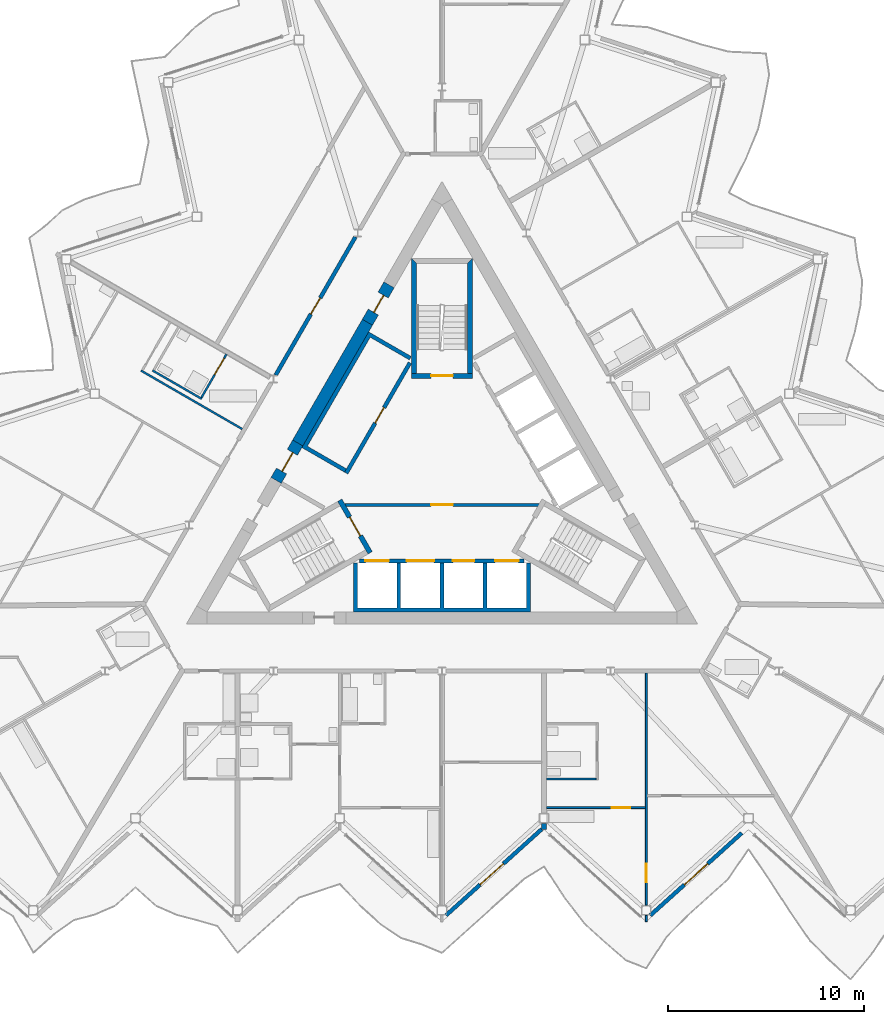
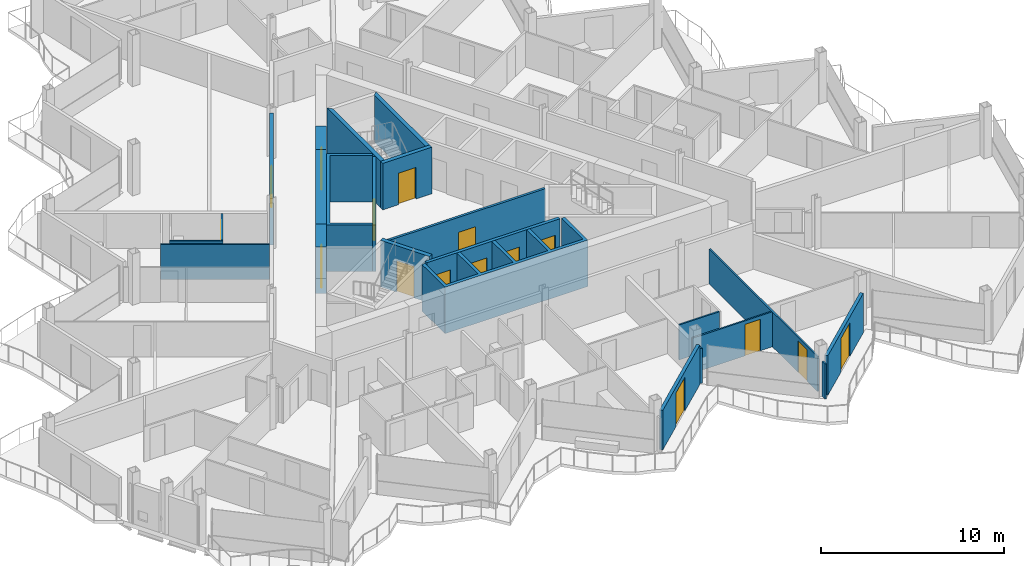
# One storey, part 14 of 26: 23 walls, 16 doors, 16 openings.
"""IFC4 building model written with IfcOpenShell, lengths in metres."""

from ifc_helpers import new_model, si_unit, direction, frame, frame_2d, origin, place, context, subcontext, project, spatial, polyline, rectangle, outline, extrude, material, layer, layer_set, type_object, element, fill, save


model = new_model("IFC4")

# Units and contexts
model_context = context("Model", 3, precision=1e-05, world=origin(), true_north=direction((0.0, 1.0)))
body_context = subcontext(model_context, "Body", "Model", "MODEL_VIEW")
ifc_project = project(units=[si_unit("LENGTHUNIT", "METRE"), si_unit("AREAUNIT", "SQUARE_METRE"), si_unit("VOLUMEUNIT", "CUBIC_METRE"), si_unit("PLANEANGLEUNIT", "RADIAN"), si_unit("MASSUNIT", "GRAM", prefix="KILO")], contexts=[model_context])

# Site, building, storey
site_placement = place(None, origin())
site = spatial("IfcSite", under=ifc_project, at=site_placement, CompositionType="ELEMENT")
building_placement = place(site_placement, origin())
building = spatial("IfcBuilding", under=site, at=building_placement, Name="Cormorant Prow Tower", CompositionType="ELEMENT")
storey_placement = place(building_placement, frame((0.0, 0.0, 374.60009765625)))
storey = spatial("IfcBuildingStorey", under=building, at=storey_placement, Name="L84", CompositionType="ELEMENT", Elevation=374.60009765625)

# Wall, opening, door
ifc_material_1 = material(Name="Gypsum board partition")
ifc_layer_1 = layer(ifc_material_1, 0.14990234375)
ifc_layer_set_1 = layer_set([ifc_layer_1], Name="Gypsum board partition")
wall_type_1 = type_object("IfcWallType", Name="Core partition 150", PredefinedType="PARTITIONING", material=ifc_layer_set_1)
wall_1_placement = place(storey_placement, frame((-4.941162109375, -1.449951171875, 0.0), z_axis=(0.0, 0.0, 1.0), x_axis=(1.0, 0.0, 0.0)))
wall_1 = element("IfcWall", 1, at=wall_1_placement, inside=storey, type_object=wall_type_1, Name="Firefighting lobby partition", PredefinedType="PARTITIONING", context=body_context, shape_type="SweptSolid", body=[
    extrude(rectangle(XDim=9.88232421875, YDim=0.14990234375, at=frame_2d((4.941162109375, 0.0))), origin(), (0.0, 0.0, 1.0), 3.099853515625),
])
opening_1_placement = place(wall_1_placement, frame((4.39111328125, 0.0, 0.0)))
opening_1 = element("IfcOpeningElement", 2, at=opening_1_placement, cuts=wall_1, Name="Opening L84-C10", PredefinedType="OPENING", context=body_context, shape_type="SweptSolid", body=[
    extrude(rectangle(XDim=1.10009765625, YDim=2.10009765625, at=frame_2d((0.550048828125, 1.050048828125))), frame((0.0, 0.0849609375, 0.0), z_axis=(0.0, -1.0, 0.0), x_axis=(1.0, 0.0, 0.0)), (0.0, 0.0, 1.0), 0.169921875),
])
ifc_material_2 = material(Name="Painted steel", Category="steel")
door_type_1 = type_object("IfcDoorType", Name="Firefighting lobby door 1100x2100", OperationType="NOTDEFINED", PredefinedType="DOOR", material=ifc_material_2)
door_1_placement = place(opening_1_placement, origin())
door_1 = element("IfcDoor", 3, at=door_1_placement, inside=storey, type_object=door_type_1, Name="Firefighting lobby door", OperationType="SINGLE_SWING_LEFT", OverallHeight=2.10009765625, OverallWidth=1.10009765625, PredefinedType="DOOR", context=body_context, shape_type="SweptSolid", body=[
    extrude(rectangle(XDim=1.10009765625, YDim=2.10009765625, at=frame_2d((0.550048828125, 1.050048828125))), frame((0.0, 0.02490234375, 0.0), z_axis=(0.0, -1.0, 0.0), x_axis=(1.0, 0.0, 0.0)), (0.0, 0.0, 1.0), 0.050048828125),
])
fill(opening_1, door_1)

# Wall
ifc_material_3 = material(Name="Concrete 8000 psi", Category="concrete")
ifc_layer_2 = layer(ifc_material_3, 0.60009765625)
ifc_layer_set_2 = layer_set([ifc_layer_2], Name="Concrete 8000 psi")
wall_type_2 = type_object("IfcWallType", Name="Core shear wall 600", PredefinedType="SHEAR", material=ifc_layer_set_2)
wall_2_placement = place(storey_placement, frame((-3.794189453125, 7.839599609375, 0.0), z_axis=(0.0, 0.0, 1.0), x_axis=(-0.499974747889, -0.866039982607, 0.0)))
element("IfcWall", 4, at=wall_2_placement, inside=storey, type_object=wall_type_2, Name="Core wall", PredefinedType="SHEAR", context=body_context, shape_type="SweptSolid", body=[
    extrude(rectangle(XDim=7.092041015625, YDim=0.60009765625, at=frame_2d((3.5458984375, 0.0))), origin(), (0.0, 0.0, 1.0), 3.099853515625),
])

# Wall, opening, door
wall_3_placement = place(storey_placement, frame((-2.694091796875, 9.744873046875, 0.0), z_axis=(0.0, 0.0, 1.0), x_axis=(-0.50002983664, -0.866008176907, 0.0)))
wall_3 = element("IfcWall", 5, at=wall_3_placement, inside=storey, type_object=wall_type_2, Name="Core wall door panel", PredefinedType="SHEAR", context=body_context, shape_type="SweptSolid", body=[
    extrude(rectangle(XDim=2.199951171875, YDim=0.60009765625, at=frame_2d((1.10009765625, 0.0))), origin(), (0.0, 0.0, 1.0), 3.099853515625),
])
opening_2_placement = place(wall_3_placement, frame((0.60009765625, 0.0, 0.0)))
opening_2 = element("IfcOpeningElement", 6, at=opening_2_placement, cuts=wall_3, Name="Opening L84-C17", PredefinedType="OPENING", context=body_context, shape_type="SweptSolid", body=[
    extrude(rectangle(XDim=1.0, YDim=2.10009765625, at=frame_2d((0.5, 1.050048828125))), frame((0.0, 0.31005859375, 0.0), z_axis=(0.0, -1.0, 0.0), x_axis=(1.0, 0.0, 0.0)), (0.0, 0.0, 1.0), 0.6201171875),
])
ifc_material_4 = material(Name="Painted steel", Category="steel")
door_type_2 = type_object("IfcDoorType", Name="Service door 1000x2100", OperationType="NOTDEFINED", PredefinedType="DOOR", material=ifc_material_4)
door_2_placement = place(opening_2_placement, origin())
door_2 = element("IfcDoor", 7, at=door_2_placement, inside=storey, type_object=door_type_2, Name="Core door, Refuse store", OperationType="SINGLE_SWING_LEFT", OverallHeight=2.10009765625, OverallWidth=1.0, PredefinedType="DOOR", context=body_context, shape_type="SweptSolid", body=[
    extrude(rectangle(XDim=1.0, YDim=2.10009765625, at=frame_2d((0.5, 1.050048828125))), frame((0.0, 0.05517578125, 0.0), z_axis=(0.0, -1.0, 0.0), x_axis=(1.0, 0.0, 0.0)), (0.0, 0.0, 1.0), 0.050048828125),
])
fill(opening_2, door_2)

wall_4_placement = place(storey_placement, frame((-7.340087890625, 1.697509765625, 0.0), z_axis=(0.0, 0.0, 1.0), x_axis=(-0.50002983664, -0.866008176907, 0.0)))
wall_4 = element("IfcWall", 8, at=wall_4_placement, inside=storey, type_object=wall_type_2, Name="Core wall door panel", PredefinedType="SHEAR", context=body_context, shape_type="SweptSolid", body=[
    extrude(rectangle(XDim=2.199951171875, YDim=0.60009765625, at=frame_2d((1.10009765625, 0.0))), origin(), (0.0, 0.0, 1.0), 3.099853515625),
])
opening_3_placement = place(wall_4_placement, frame((0.550048828125, 0.0, 0.0)))
opening_3 = element("IfcOpeningElement", 9, at=opening_3_placement, cuts=wall_4, Name="Opening L84-C18", PredefinedType="OPENING", context=body_context, shape_type="SweptSolid", body=[
    extrude(rectangle(XDim=1.10009765625, YDim=2.10009765625, at=frame_2d((0.550048828125, 1.050048828125))), frame((0.0, 0.31005859375, 0.0), z_axis=(0.0, -1.0, 0.0), x_axis=(1.0, 0.0, 0.0)), (0.0, 0.0, 1.0), 0.6201171875),
])
ifc_material_5 = material(Name="Painted steel", Category="steel")
door_type_3 = type_object("IfcDoorType", Name="Core door 1100x2100", OperationType="NOTDEFINED", PredefinedType="DOOR", material=ifc_material_5)
door_3_placement = place(opening_3_placement, origin())
door_3 = element("IfcDoor", 10, at=door_3_placement, inside=storey, type_object=door_type_3, Name="Core door, lift lobby", OperationType="SINGLE_SWING_RIGHT", OverallHeight=2.10009765625, OverallWidth=1.10009765625, PredefinedType="DOOR", context=body_context, shape_type="SweptSolid", body=[
    extrude(rectangle(XDim=1.10009765625, YDim=2.10009765625, at=frame_2d((0.550048828125, 1.050048828125))), frame((0.0, 0.05517578125, 0.0), z_axis=(0.0, -1.0, 0.0), x_axis=(1.0, 0.0, 0.0)), (0.0, 0.0, 1.0), 0.050048828125),
])
fill(opening_3, door_3)

ifc_material_6 = material(Name="Gypsum board corridor wall")
ifc_layer_3 = layer(ifc_material_6, 0.199951171875)
ifc_layer_set_3 = layer_set([ifc_layer_3], Name="Gypsum board corridor wall")
wall_type_3 = type_object("IfcWallType", Name="Corridor wall 200", PredefinedType="PARTITIONING", material=ifc_layer_set_3)
wall_5_placement = place(storey_placement, frame((-8.464599609375, 5.14990234375, 0.0), z_axis=(0.0, 0.0, 1.0), x_axis=(0.499992155518, 0.866029932751, 0.0)))
wall_5 = element("IfcWall", 11, at=wall_5_placement, inside=storey, type_object=wall_type_3, Name="Corridor wall", PredefinedType="PARTITIONING", context=body_context, shape_type="SweptSolid", body=[
    extrude(rectangle(XDim=8.123291015625, YDim=0.199951171875, at=frame_2d((4.0615234375, 0.0))), origin(), (0.0, 0.0, 1.0), 3.099853515625),
])
opening_4_placement = place(wall_5_placement, frame((3.586669921875, 0.0, 0.0)))
opening_4 = element("IfcOpeningElement", 12, at=opening_4_placement, cuts=wall_5, Name="Opening L84-F43", PredefinedType="OPENING", context=body_context, shape_type="SweptSolid", body=[
    extrude(rectangle(XDim=0.949951171875, YDim=2.10009765625, at=frame_2d((0.47509765625, 1.050048828125))), frame((0.0, 0.10986328125, 0.0), z_axis=(0.0, -1.0, 0.0), x_axis=(1.0, 0.0, 0.0)), (0.0, 0.0, 1.0), 0.219970703125),
])
ifc_material_7 = material(Name="Timber door leaf", Category="wood")
door_type_4 = type_object("IfcDoorType", Name="Store door 950x2100", OperationType="NOTDEFINED", PredefinedType="DOOR", material=ifc_material_7)
door_4_placement = place(opening_4_placement, origin())
door_4 = element("IfcDoor", 13, at=door_4_placement, inside=storey, type_object=door_type_4, Name="Bicycle store door", OperationType="SINGLE_SWING_LEFT", OverallHeight=2.10009765625, OverallWidth=0.949951171875, PredefinedType="DOOR", context=body_context, shape_type="SweptSolid", body=[
    extrude(rectangle(XDim=0.949951171875, YDim=2.10009765625, at=frame_2d((0.47509765625, 1.050048828125))), frame((0.0, 0.02490234375, 0.0), z_axis=(0.0, -1.0, 0.0), x_axis=(1.0, 0.0, 0.0)), (0.0, 0.0, 1.0), 0.050048828125),
])
fill(opening_4, door_4)

ifc_material_8 = material(Name="Gypsum board partition")
ifc_layer_4 = layer(ifc_material_8, 0.10009765625)
ifc_layer_set_4 = layer_set([ifc_layer_4], Name="Gypsum board partition")
wall_type_4 = type_object("IfcWallType", Name="Internal partition 100", PredefinedType="PARTITIONING", material=ifc_layer_set_4)
wall_6_placement = place(storey_placement, frame((10.39990234375, -21.827880859375, 0.0), z_axis=(0.0, 0.0, 1.0), x_axis=(0.0, 1.0, 0.0)))
wall_6 = element("IfcWall", 14, at=wall_6_placement, inside=storey, type_object=wall_type_4, Name="Internal partition", PredefinedType="PARTITIONING", context=body_context, shape_type="SweptSolid", body=[
    extrude(rectangle(XDim=11.822265625, YDim=0.10009765625, at=frame_2d((5.9111328125, 0.0))), origin(), (0.0, 0.0, 1.0), 2.330078125),
])
opening_5_placement = place(wall_6_placement, frame((1.15625, 0.0, 0.0)))
opening_5 = element("IfcOpeningElement", 15, at=opening_5_placement, cuts=wall_6, Name="Opening L84-F14", PredefinedType="OPENING", context=body_context, shape_type="SweptSolid", body=[
    extrude(rectangle(XDim=0.949951171875, YDim=2.10009765625, at=frame_2d((0.47509765625, 1.050048828125))), frame((0.0, 0.06005859375, 0.0), z_axis=(0.0, -1.0, 0.0), x_axis=(1.0, 0.0, 0.0)), (0.0, 0.0, 1.0), 0.1201171875),
])
ifc_material_9 = material(Name="Timber door leaf", Category="wood")
door_type_5 = type_object("IfcDoorType", Name="Bathroom door 950x2100", OperationType="NOTDEFINED", PredefinedType="DOOR", material=ifc_material_9)
door_5_placement = place(opening_5_placement, origin())
door_5 = element("IfcDoor", 16, at=door_5_placement, inside=storey, type_object=door_type_5, Name="Kitchen door", OperationType="SINGLE_SWING_LEFT", OverallHeight=2.10009765625, OverallWidth=0.949951171875, PredefinedType="DOOR", context=body_context, shape_type="SweptSolid", body=[
    extrude(rectangle(XDim=0.949951171875, YDim=2.10009765625, at=frame_2d((0.47509765625, 1.050048828125))), frame((0.0, 0.02490234375, 0.0), z_axis=(0.0, -1.0, 0.0), x_axis=(1.0, 0.0, 0.0)), (0.0, 0.0, 1.0), 0.050048828125),
])
fill(opening_5, door_5)

# Wall
wall_7_placement = place(storey_placement, frame((-15.31787109375, 5.379638671875, 0.0), z_axis=(0.0, 0.0, 1.0), x_axis=(0.866035260786, -0.499982926783, 0.0)))
element("IfcWall", 17, at=wall_7_placement, inside=storey, type_object=wall_type_4, Name="Internal partition", PredefinedType="PARTITIONING", context=body_context, shape_type="SweptSolid", body=[
    extrude(rectangle(XDim=5.949951171875, YDim=0.10009765625, at=frame_2d((2.97509765625, 0.0))), origin(), (0.0, 0.0, 1.0), 2.330078125),
])

# Wall, opening, door
wall_8_placement = place(storey_placement, frame((5.324951171875, -16.863037109375, 0.0), z_axis=(0.0, 0.0, 1.0), x_axis=(1.0, 0.0, 0.0)))
wall_8 = element("IfcWall", 18, at=wall_8_placement, inside=storey, type_object=wall_type_4, Name="Internal partition", PredefinedType="PARTITIONING", context=body_context, shape_type="SweptSolid", body=[
    extrude(rectangle(XDim=5.025146484375, YDim=0.10009765625, at=frame_2d((2.5126953125, 0.0))), origin(), (0.0, 0.0, 1.0), 2.330078125),
])
opening_6_placement = place(wall_8_placement, frame((3.314208984375, 0.0, 0.0)))
opening_6 = element("IfcOpeningElement", 19, at=opening_6_placement, cuts=wall_8, Name="Opening L84-F13", PredefinedType="OPENING", context=body_context, shape_type="SweptSolid", body=[
    extrude(rectangle(XDim=0.949951171875, YDim=2.10009765625, at=frame_2d((0.47509765625, 1.050048828125))), frame((0.0, 0.06005859375, 0.0), z_axis=(0.0, -1.0, 0.0), x_axis=(1.0, 0.0, 0.0)), (0.0, 0.0, 1.0), 0.1201171875),
])
door_6_placement = place(opening_6_placement, origin())
door_6 = element("IfcDoor", 20, at=door_6_placement, inside=storey, type_object=door_type_5, Name="Living room door", OperationType="SINGLE_SWING_RIGHT", OverallHeight=2.10009765625, OverallWidth=0.949951171875, PredefinedType="DOOR", context=body_context, shape_type="SweptSolid", body=[
    extrude(rectangle(XDim=0.949951171875, YDim=2.10009765625, at=frame_2d((0.47509765625, 1.050048828125))), frame((0.0, 0.02490234375, 0.0), z_axis=(0.0, -1.0, 0.0), x_axis=(1.0, 0.0, 0.0)), (0.0, 0.0, 1.0), 0.050048828125),
])
fill(opening_6, door_6)

# Walls
wall_9_placement = place(storey_placement, frame((-14.73486328125, 5.389404296875, 0.0), z_axis=(0.0, 0.0, 1.0), x_axis=(0.866032775405, -0.499987231761, 0.0)))
element("IfcWall", 21, at=wall_9_placement, inside=storey, type_object=wall_type_4, Name="Internal partition", PredefinedType="PARTITIONING", context=body_context, shape_type="SweptSolid", body=[
    extrude(rectangle(XDim=2.89990234375, YDim=0.10009765625, at=frame_2d((1.449951171875, 0.0))), origin(), (0.0, 0.0, 1.0), 2.330078125),
])
wall_10_placement = place(storey_placement, frame((5.324951171875, -15.405517578125, 0.0), z_axis=(0.0, 0.0, 1.0), x_axis=(1.0, 0.0, 0.0)))
element("IfcWall", 22, at=wall_10_placement, inside=storey, type_object=wall_type_4, Name="Internal partition", PredefinedType="PARTITIONING", context=body_context, shape_type="SweptSolid", body=[
    extrude(rectangle(XDim=2.525146484375, YDim=0.10009765625, at=frame_2d((1.2626953125, 0.0))), origin(), (0.0, 0.0, 1.0), 2.330078125),
])

# Wall, opening, door
wall_11_placement = place(storey_placement, frame((-12.24169921875, 4.0078125, 0.0), z_axis=(0.0, 0.0, 1.0), x_axis=(0.499948979701, 0.866054858364, 0.0)))
wall_11 = element("IfcWall", 23, at=wall_11_placement, inside=storey, type_object=wall_type_4, Name="Internal partition", PredefinedType="PARTITIONING", context=body_context, shape_type="SweptSolid", body=[
    extrude(rectangle(XDim=2.550048828125, YDim=0.10009765625, at=frame_2d((1.27490234375, 0.0))), origin(), (0.0, 0.0, 1.0), 2.330078125),
])
opening_7_placement = place(wall_11_placement, frame((1.35009765625, 0.0, 0.0)))
opening_7 = element("IfcOpeningElement", 24, at=opening_7_placement, cuts=wall_11, Name="Opening L84-F52", PredefinedType="OPENING", context=body_context, shape_type="SweptSolid", body=[
    extrude(rectangle(XDim=0.949951171875, YDim=2.10009765625, at=frame_2d((0.47509765625, 1.050048828125))), frame((0.0, 0.06005859375, 0.0), z_axis=(0.0, -1.0, 0.0), x_axis=(1.0, 0.0, 0.0)), (0.0, 0.0, 1.0), 0.1201171875),
])
door_7_placement = place(opening_7_placement, origin())
door_7 = element("IfcDoor", 25, at=door_7_placement, inside=storey, type_object=door_type_5, Name="Kitchen door", OperationType="SINGLE_SWING_RIGHT", OverallHeight=2.10009765625, OverallWidth=0.949951171875, PredefinedType="DOOR", context=body_context, shape_type="SweptSolid", body=[
    extrude(rectangle(XDim=0.949951171875, YDim=2.10009765625, at=frame_2d((0.47509765625, 1.050048828125))), frame((0.0, 0.02490234375, 0.0), z_axis=(0.0, -1.0, 0.0), x_axis=(1.0, 0.0, 0.0)), (0.0, 0.0, 1.0), 0.050048828125),
])
fill(opening_7, door_7)

# Wall
wall_12_placement = place(storey_placement, frame((10.39990234375, -22.66552734375, 0.0), z_axis=(0.0, 0.0, 1.0), x_axis=(0.0, 1.0, 0.0)))
element("IfcWall", 26, at=wall_12_placement, inside=storey, type_object=wall_type_4, Name="Internal partition", PredefinedType="PARTITIONING", context=body_context, shape_type="SweptSolid", body=[
    extrude(rectangle(XDim=0.317626953125, YDim=0.10009765625, at=frame_2d((0.15869140625, 0.0))), origin(), (0.0, 0.0, 1.0), 2.330078125),
])

# Wall, openings, doors
ifc_material_10 = material(Name="Concrete 5000 psi", Category="concrete")
ifc_layer_5 = layer(ifc_material_10, 0.199951171875)
ifc_layer_set_5 = layer_set([ifc_layer_5], Name="Concrete 5000 psi")
wall_type_5 = type_object("IfcWallType", Name="Lift lobby wall 200", PredefinedType="SOLIDWALL", material=ifc_layer_set_5)
wall_13_placement = place(storey_placement, frame((-4.1865234375, -4.300048828125, 0.0), z_axis=(0.0, 0.0, 1.0), x_axis=(1.0, 0.0, 0.0)))
wall_13 = element("IfcWall", 27, at=wall_13_placement, inside=storey, type_object=wall_type_5, Name="Lift lobby wall, S block", PredefinedType="SOLIDWALL", context=body_context, shape_type="SweptSolid", body=[
    extrude(rectangle(XDim=8.373046875, YDim=0.199951171875, at=frame_2d((4.1865234375, 0.0))), origin(), (0.0, 0.0, 1.0), 3.099853515625),
])
opening_8_placement = place(wall_13_placement, frame((0.28662109375, 0.0, 0.0)))
opening_8 = element("IfcOpeningElement", 28, at=opening_8_placement, cuts=wall_13, Name="Opening L84-C01", PredefinedType="OPENING", context=body_context, shape_type="SweptSolid", body=[
    extrude(rectangle(XDim=1.199951171875, YDim=2.10009765625, at=frame_2d((0.60009765625, 1.050048828125))), frame((0.0, 0.10986328125, 0.0), z_axis=(0.0, -1.0, 0.0), x_axis=(1.0, 0.0, 0.0)), (0.0, 0.0, 1.0), 0.219970703125),
])
opening_9_placement = place(wall_13_placement, frame((2.38671875, 0.0, 0.0)))
opening_9 = element("IfcOpeningElement", 29, at=opening_9_placement, cuts=wall_13, Name="Opening L84-C02", PredefinedType="OPENING", context=body_context, shape_type="SweptSolid", body=[
    extrude(rectangle(XDim=1.39990234375, YDim=2.10009765625, at=frame_2d((0.699951171875, 1.050048828125))), frame((0.0, 0.10986328125, 0.0), z_axis=(0.0, -1.0, 0.0), x_axis=(1.0, 0.0, 0.0)), (0.0, 0.0, 1.0), 0.219970703125),
])
opening_10_placement = place(wall_13_placement, frame((4.736572265625, 0.0, 0.0)))
opening_10 = element("IfcOpeningElement", 30, at=opening_10_placement, cuts=wall_13, Name="Opening L84-C03", PredefinedType="OPENING", context=body_context, shape_type="SweptSolid", body=[
    extrude(rectangle(XDim=1.10009765625, YDim=2.10009765625, at=frame_2d((0.550048828125, 1.050048828125))), frame((0.0, 0.10986328125, 0.0), z_axis=(0.0, -1.0, 0.0), x_axis=(1.0, 0.0, 0.0)), (0.0, 0.0, 1.0), 0.219970703125),
])
opening_11_placement = place(wall_13_placement, frame((6.88671875, 0.0, 0.0)))
opening_11 = element("IfcOpeningElement", 31, at=opening_11_placement, cuts=wall_13, Name="Opening L84-C04", PredefinedType="OPENING", context=body_context, shape_type="SweptSolid", body=[
    extrude(rectangle(XDim=1.199951171875, YDim=2.10009765625, at=frame_2d((0.60009765625, 1.050048828125))), frame((0.0, 0.10986328125, 0.0), z_axis=(0.0, -1.0, 0.0), x_axis=(1.0, 0.0, 0.0)), (0.0, 0.0, 1.0), 0.219970703125),
])
ifc_material_11 = material(Name="Painted steel", Category="steel")
door_type_6 = type_object("IfcDoorType", Name="Firefighting lift landing door 1200x2100", OperationType="SLIDING_TO_LEFT", PredefinedType="DOOR", material=ifc_material_11)
door_8_placement = place(opening_8_placement, origin())
door_8 = element("IfcDoor", 32, at=door_8_placement, inside=storey, type_object=door_type_6, Name="Landing door FL1", OperationType="SLIDING_TO_LEFT", OverallHeight=2.10009765625, OverallWidth=1.199951171875, PredefinedType="DOOR", context=body_context, shape_type="SweptSolid", body=[
    extrude(rectangle(XDim=1.199951171875, YDim=2.10009765625, at=frame_2d((0.60009765625, 1.050048828125))), frame((0.0, 0.02490234375, 0.0), z_axis=(0.0, -1.0, 0.0), x_axis=(1.0, 0.0, 0.0)), (0.0, 0.0, 1.0), 0.050048828125),
])
fill(opening_8, door_8)
door_9_placement = place(opening_11_placement, origin())
door_9 = element("IfcDoor", 33, at=door_9_placement, inside=storey, type_object=door_type_6, Name="Landing door FL2", OperationType="SLIDING_TO_LEFT", OverallHeight=2.10009765625, OverallWidth=1.199951171875, PredefinedType="DOOR", context=body_context, shape_type="SweptSolid", body=[
    extrude(rectangle(XDim=1.199951171875, YDim=2.10009765625, at=frame_2d((0.60009765625, 1.050048828125))), frame((0.0, 0.02490234375, 0.0), z_axis=(0.0, -1.0, 0.0), x_axis=(1.0, 0.0, 0.0)), (0.0, 0.0, 1.0), 0.050048828125),
])
fill(opening_11, door_9)
ifc_material_12 = material(Name="Painted steel", Category="steel")
door_type_7 = type_object("IfcDoorType", Name="Lift landing door 1100x2100", OperationType="SLIDING_TO_LEFT", PredefinedType="DOOR", material=ifc_material_12)
door_10_placement = place(opening_10_placement, origin())
door_10 = element("IfcDoor", 34, at=door_10_placement, inside=storey, type_object=door_type_7, Name="Landing door HR1", OperationType="SLIDING_TO_LEFT", OverallHeight=2.10009765625, OverallWidth=1.10009765625, PredefinedType="DOOR", context=body_context, shape_type="SweptSolid", body=[
    extrude(rectangle(XDim=1.10009765625, YDim=2.10009765625, at=frame_2d((0.550048828125, 1.050048828125))), frame((0.0, 0.02490234375, 0.0), z_axis=(0.0, -1.0, 0.0), x_axis=(1.0, 0.0, 0.0)), (0.0, 0.0, 1.0), 0.050048828125),
])
fill(opening_10, door_10)
ifc_material_13 = material(Name="Painted steel", Category="steel")
door_type_8 = type_object("IfcDoorType", Name="Service lift landing door 1400x2100", OperationType="SLIDING_TO_LEFT", PredefinedType="DOOR", material=ifc_material_13)
door_11_placement = place(opening_9_placement, origin())
door_11 = element("IfcDoor", 35, at=door_11_placement, inside=storey, type_object=door_type_8, Name="Landing door SL1", OperationType="SLIDING_TO_LEFT", OverallHeight=2.10009765625, OverallWidth=1.39990234375, PredefinedType="DOOR", context=body_context, shape_type="SweptSolid", body=[
    extrude(rectangle(XDim=1.39990234375, YDim=2.10009765625, at=frame_2d((0.699951171875, 1.050048828125))), frame((0.0, 0.02490234375, 0.0), z_axis=(0.0, -1.0, 0.0), x_axis=(1.0, 0.0, 0.0)), (0.0, 0.0, 1.0), 0.050048828125),
])
fill(opening_9, door_11)

# Wall, opening, door
wall_14_placement = place(storey_placement, frame((-1.630615234375, 5.775634765625, 0.0), z_axis=(0.0, 0.0, 1.0), x_axis=(-0.499992876559, -0.866029516466, 0.0)))
wall_14 = element("IfcWall", 36, at=wall_14_placement, inside=storey, type_object=wall_type_5, Name="Lift lobby wall, WNW block", PredefinedType="SOLIDWALL", context=body_context, shape_type="SweptSolid", body=[
    extrude(rectangle(XDim=6.486328125, YDim=0.199951171875, at=frame_2d((3.2431640625, 0.0))), origin(), (0.0, 0.0, 1.0), 3.099853515625),
])
opening_12_placement = place(wall_14_placement, frame((2.63671875, 0.0, 0.0)))
opening_12 = element("IfcOpeningElement", 37, at=opening_12_placement, cuts=wall_14, Name="Opening L84-C09", PredefinedType="OPENING", context=body_context, shape_type="SweptSolid", body=[
    extrude(rectangle(XDim=0.89990234375, YDim=2.10009765625, at=frame_2d((0.449951171875, 1.050048828125))), frame((0.0, 0.10986328125, 0.0), z_axis=(0.0, -1.0, 0.0), x_axis=(1.0, 0.0, 0.0)), (0.0, 0.0, 1.0), 0.219970703125),
])
ifc_material_14 = material(Name="Painted steel", Category="steel")
door_type_9 = type_object("IfcDoorType", Name="Service door 900x2100", OperationType="NOTDEFINED", PredefinedType="DOOR", material=ifc_material_14)
door_12_placement = place(opening_12_placement, origin())
door_12 = element("IfcDoor", 38, at=door_12_placement, inside=storey, type_object=door_type_9, Name="Service door, Housekeeping store", OperationType="SINGLE_SWING_LEFT", OverallHeight=2.10009765625, OverallWidth=0.89990234375, PredefinedType="DOOR", context=body_context, shape_type="SweptSolid", body=[
    extrude(rectangle(XDim=0.89990234375, YDim=2.10009765625, at=frame_2d((0.449951171875, 1.050048828125))), frame((0.0, 0.02490234375, 0.0), z_axis=(0.0, -1.0, 0.0), x_axis=(1.0, 0.0, 0.0)), (0.0, 0.0, 1.0), 0.050048828125),
])
fill(opening_12, door_12)

# Walls
ifc_material_15 = material(Name="Concrete 8000 psi", Category="concrete")
ifc_layer_6 = layer(ifc_material_15, 0.199951171875)
ifc_layer_set_6 = layer_set([ifc_layer_6], Name="Concrete 8000 psi")
wall_type_6 = type_object("IfcWallType", Name="Lift shaft wall 200", PredefinedType="SHEAR", material=ifc_layer_set_6)
wall_15_placement = place(storey_placement, origin())
element("IfcWall", 39, at=wall_15_placement, inside=storey, type_object=wall_type_6, Name="Lift shaft walls, S block", PredefinedType="SHEAR", context=body_context, shape_type="SweptSolid", body=[
    extrude(outline(polyline([(4.5, -4.39990234375), (4.5, -6.906005859375), (-4.5, -6.906005859375), (-4.5, -4.39990234375), (-4.300048828125, -4.39990234375), (-4.300048828125, -6.699951171875), (-2.300048828125, -6.699951171875), (-2.300048828125, -4.39990234375), (-2.10009765625, -4.39990234375), (-2.10009765625, -6.699951171875), (-0.10009765625, -6.699951171875), (-0.10009765625, -4.39990234375), (0.10009765625, -4.39990234375), (0.10009765625, -6.699951171875), (2.10009765625, -6.699951171875), (2.10009765625, -4.39990234375), (2.300048828125, -4.39990234375), (2.300048828125, -6.699951171875), (4.300048828125, -6.699951171875), (4.300048828125, -4.39990234375), (4.5, -4.39990234375)])), origin(), (0.0, 0.0, 1.0), 3.099853515625),
])
wall_16_placement = place(storey_placement, origin())
element("IfcWall", 40, at=wall_16_placement, inside=storey, type_object=wall_type_6, Name="Lift shaft walls, WNW block", PredefinedType="SHEAR", context=body_context, shape_type="SweptSolid", body=[
    extrude(outline(polyline([(-4.96044921875, 0.2080078125), (-7.130859375, 1.461181640625), (-3.730712890625, 7.35009765625), (-1.560546875, 6.09716796875), (-1.660400390625, 5.923828125), (-3.65234375, 7.073974609375), (-6.852294921875, 1.53125), (-4.860595703125, 0.38134765625), (-4.96044921875, 0.2080078125)])), origin(), (0.0, 0.0, 1.0), 3.099853515625),
])

# Wall, opening, door
ifc_material_16 = material(Name="Concrete 8000 psi", Category="concrete")
ifc_layer_7 = layer(ifc_material_16, 0.25)
ifc_layer_set_7 = layer_set([ifc_layer_7], Name="Concrete 8000 psi")
wall_type_7 = type_object("IfcWallType", Name="Stair wall 250", PredefinedType="SHEAR", material=ifc_layer_set_7)
wall_17_placement = place(storey_placement, frame((-5.198974609375, -1.21875, 0.0), z_axis=(0.0, 0.0, 1.0), x_axis=(0.499982516597, -0.866035497597, 0.0)))
wall_17 = element("IfcWall", 41, at=wall_17_placement, inside=storey, type_object=wall_type_7, Name="Stair ST1 door wall", PredefinedType="SHEAR", context=body_context, shape_type="SweptSolid", body=[
    extrude(rectangle(XDim=3.087890625, YDim=0.25, at=frame_2d((1.5439453125, 0.0))), origin(), (0.0, 0.0, 1.0), 3.099853515625),
])
opening_13_placement = place(wall_17_placement, frame((0.993896484375, 0.0, 0.0)))
opening_13 = element("IfcOpeningElement", 42, at=opening_13_placement, cuts=wall_17, Name="Opening L84-C11", PredefinedType="OPENING", context=body_context, shape_type="SweptSolid", body=[
    extrude(rectangle(XDim=1.10009765625, YDim=2.10009765625, at=frame_2d((0.550048828125, 1.050048828125))), frame((0.0, 0.135009765625, 0.0), z_axis=(0.0, -1.0, 0.0), x_axis=(1.0, 0.0, 0.0)), (0.0, 0.0, 1.0), 0.27001953125),
])
ifc_material_17 = material(Name="Painted steel", Category="steel")
door_type_10 = type_object("IfcDoorType", Name="Stair door 1100x2100", OperationType="NOTDEFINED", PredefinedType="DOOR", material=ifc_material_17)
door_13_placement = place(opening_13_placement, origin())
door_13 = element("IfcDoor", 43, at=door_13_placement, inside=storey, type_object=door_type_10, Name="Stair ST1 door", OperationType="SINGLE_SWING_LEFT", OverallHeight=2.10009765625, OverallWidth=1.10009765625, PredefinedType="DOOR", context=body_context, shape_type="SweptSolid", body=[
    extrude(rectangle(XDim=1.10009765625, YDim=2.10009765625, at=frame_2d((0.550048828125, 1.050048828125))), frame((0.0, 0.02490234375, 0.0), z_axis=(0.0, -1.0, 0.0), x_axis=(1.0, 0.0, 0.0)), (0.0, 0.0, 1.0), 0.050048828125),
])
fill(opening_13, door_13)

# Walls
wall_18_placement = place(storey_placement, origin())
element("IfcWall", 44, at=wall_18_placement, inside=storey, type_object=wall_type_7, Name="Stair ST3 enclosure wall (flank)", PredefinedType="SHEAR", context=body_context, shape_type="SweptSolid", body=[
    extrude(outline(polyline([(1.5439453125, 5.23681640625), (1.5439453125, 11.0869140625), (1.2939453125, 10.8369140625), (1.2939453125, 5.23681640625), (1.5439453125, 5.23681640625)])), origin(), (0.0, 0.0, 1.0), 3.099853515625),
])
wall_19_placement = place(storey_placement, origin())
element("IfcWall", 45, at=wall_19_placement, inside=storey, type_object=wall_type_7, Name="Stair ST3 enclosure wall (flank)", PredefinedType="SHEAR", context=body_context, shape_type="SweptSolid", body=[
    extrude(outline(polyline([(-1.2939453125, 10.8369140625), (-1.5439453125, 11.0869140625), (-1.5439453125, 5.23681640625), (-1.2939453125, 5.23681640625), (-1.2939453125, 10.8369140625)])), origin(), (0.0, 0.0, 1.0), 3.099853515625),
])

# Wall, opening, door
wall_20_placement = place(storey_placement, frame((1.5439453125, 5.11181640625, 0.0), z_axis=(0.0, 0.0, 1.0), x_axis=(-1.0, 0.0, 0.0)))
wall_20 = element("IfcWall", 46, at=wall_20_placement, inside=storey, type_object=wall_type_7, Name="Stair ST3 door wall", PredefinedType="SHEAR", context=body_context, shape_type="SweptSolid", body=[
    extrude(rectangle(XDim=3.087890625, YDim=0.25, at=frame_2d((1.5439453125, 0.0))), origin(), (0.0, 0.0, 1.0), 3.099853515625),
])
opening_14_placement = place(wall_20_placement, frame((0.993896484375, 0.0, 0.0)))
opening_14 = element("IfcOpeningElement", 47, at=opening_14_placement, cuts=wall_20, Name="Opening L84-C13", PredefinedType="OPENING", context=body_context, shape_type="SweptSolid", body=[
    extrude(rectangle(XDim=1.10009765625, YDim=2.10009765625, at=frame_2d((0.550048828125, 1.050048828125))), frame((0.0, 0.135009765625, 0.0), z_axis=(0.0, -1.0, 0.0), x_axis=(1.0, 0.0, 0.0)), (0.0, 0.0, 1.0), 0.27001953125),
])
door_14_placement = place(opening_14_placement, origin())
door_14 = element("IfcDoor", 48, at=door_14_placement, inside=storey, type_object=door_type_10, Name="Stair ST3 door", OperationType="SINGLE_SWING_LEFT", OverallHeight=2.10009765625, OverallWidth=1.10009765625, PredefinedType="DOOR", context=body_context, shape_type="SweptSolid", body=[
    extrude(rectangle(XDim=1.10009765625, YDim=2.10009765625, at=frame_2d((0.550048828125, 1.050048828125))), frame((0.0, 0.02490234375, 0.0), z_axis=(0.0, -1.0, 0.0), x_axis=(1.0, 0.0, 0.0)), (0.0, 0.0, 1.0), 0.050048828125),
])
fill(opening_14, door_14)

# Wall
ifc_material_18 = material(Name="Acoustic gypsum party wall")
ifc_layer_8 = layer(ifc_material_18, 0.25)
ifc_layer_set_8 = layer_set([ifc_layer_8], Name="Acoustic gypsum party wall")
wall_type_8 = type_object("IfcWallType", Name="Suite party wall 250", PredefinedType="PARTITIONING", material=ifc_layer_set_8)
wall_21_placement = place(storey_placement, frame((5.199951171875, -17.9833984375, 0.0), z_axis=(0.0, 0.0, 1.0), x_axis=(0.0, 1.0, 0.0)))
element("IfcWall", 49, at=wall_21_placement, inside=storey, type_object=wall_type_8, Name="Suite party wall", PredefinedType="PARTITIONING", context=body_context, shape_type="SweptSolid", body=[
    extrude(rectangle(XDim=0.317626953125, YDim=0.25, at=frame_2d((0.15869140625, 0.0))), origin(), (0.0, 0.0, 1.0), 2.330078125),
])

# Wall, opening, door
ifc_material_19 = material(Name="Terracotta", Category="masonry")
ifc_layer_9 = layer(ifc_material_19, 0.199951171875)
ifc_layer_set_9 = layer_set([ifc_layer_9], Name="Terracotta")
wall_type_9 = type_object("IfcWallType", Name="Terracotta jamb wall 200", PredefinedType="SOLIDWALL", material=ifc_layer_set_9)
wall_22_placement = place(storey_placement, frame((0.205078125, -22.346435546875, 0.0), z_axis=(0.0, 0.0, 1.0), x_axis=(0.74313295916, 0.669143785004, 0.0)))
wall_22 = element("IfcWall", 50, at=wall_22_placement, inside=storey, type_object=wall_type_9, Name="Terracotta jamb wall S05", PredefinedType="SOLIDWALL", context=body_context, shape_type="SweptSolid", body=[
    extrude(rectangle(XDim=6.55322265625, YDim=0.199951171875, at=frame_2d((3.276611328125, 0.0))), origin(), (0.0, 0.0, 1.0), 2.6337890625),
])
opening_15_placement = place(wall_22_placement, frame((2.332763671875, 0.0, 0.0)))
opening_15 = element("IfcOpeningElement", 51, at=opening_15_placement, cuts=wall_22, Name="Opening ED84.03", PredefinedType="OPENING", context=body_context, shape_type="SweptSolid", body=[
    extrude(rectangle(XDim=1.60009765625, YDim=2.25, at=frame_2d((0.800048828125, 1.125))), frame((0.0, 0.10986328125, 0.0), z_axis=(0.0, -1.0, 0.0), x_axis=(1.0, 0.0, 0.0)), (0.0, 0.0, 1.0), 0.219970703125),
])
ifc_material_20 = material(Name="Aluminium 6063-T6", Category="aluminium")
door_type_11 = type_object("IfcDoorType", Name="Balcony door 1600x2250", OperationType="DOUBLE_DOOR_SINGLE_SWING", PredefinedType="DOOR", material=ifc_material_20)
door_15_placement = place(opening_15_placement, origin())
door_15 = element("IfcDoor", 52, at=door_15_placement, inside=storey, type_object=door_type_11, Name="Balcony door S05 ED84.03", OperationType="DOUBLE_DOOR_SINGLE_SWING", OverallHeight=2.25, OverallWidth=1.60009765625, PredefinedType="DOOR", context=body_context, shape_type="SweptSolid", body=[
    extrude(rectangle(XDim=1.60009765625, YDim=2.25, at=frame_2d((0.800048828125, 1.125))), frame((0.0, 0.02490234375, 0.0), z_axis=(0.0, -1.0, 0.0), x_axis=(1.0, 0.0, 0.0)), (0.0, 0.0, 1.0), 0.050048828125),
])
fill(opening_15, door_15)

wall_23_placement = place(storey_placement, frame((10.60498046875, -22.346435546875, 0.0), z_axis=(0.0, 0.0, 1.0), x_axis=(0.743137181878, 0.669139095339, 0.0)))
wall_23 = element("IfcWall", 53, at=wall_23_placement, inside=storey, type_object=wall_type_9, Name="Terracotta jamb wall S07", PredefinedType="SOLIDWALL", context=body_context, shape_type="SweptSolid", body=[
    extrude(rectangle(XDim=6.265380859375, YDim=0.199951171875, at=frame_2d((3.1328125, 0.0))), origin(), (0.0, 0.0, 1.0), 2.6337890625),
])
opening_16_placement = place(wall_23_placement, frame((2.332763671875, 0.0, 0.0)))
opening_16 = element("IfcOpeningElement", 54, at=opening_16_placement, cuts=wall_23, Name="Opening ED84.04", PredefinedType="OPENING", context=body_context, shape_type="SweptSolid", body=[
    extrude(rectangle(XDim=1.60009765625, YDim=2.25, at=frame_2d((0.800048828125, 1.125))), frame((0.0, 0.10986328125, 0.0), z_axis=(0.0, -1.0, 0.0), x_axis=(1.0, 0.0, 0.0)), (0.0, 0.0, 1.0), 0.219970703125),
])
door_16_placement = place(opening_16_placement, origin())
door_16 = element("IfcDoor", 55, at=door_16_placement, inside=storey, type_object=door_type_11, Name="Balcony door S07 ED84.04", OperationType="DOUBLE_DOOR_SINGLE_SWING", OverallHeight=2.25, OverallWidth=1.60009765625, PredefinedType="DOOR", context=body_context, shape_type="SweptSolid", body=[
    extrude(rectangle(XDim=1.60009765625, YDim=2.25, at=frame_2d((0.800048828125, 1.125))), frame((0.0, 0.02490234375, 0.0), z_axis=(0.0, -1.0, 0.0), x_axis=(1.0, 0.0, 0.0)), (0.0, 0.0, 1.0), 0.050048828125),
])
fill(opening_16, door_16)

save(model, "model.ifc")
